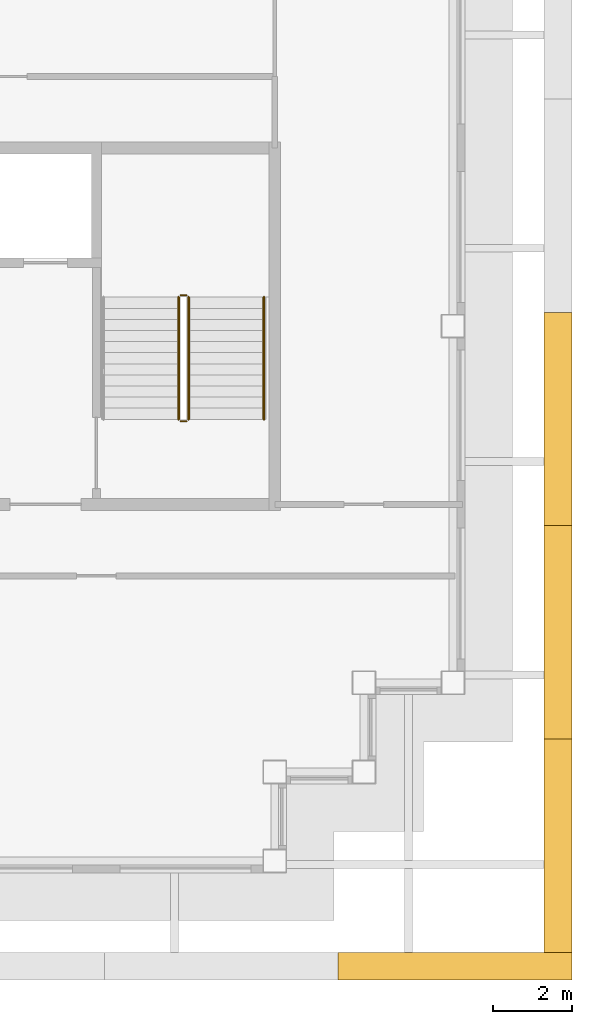
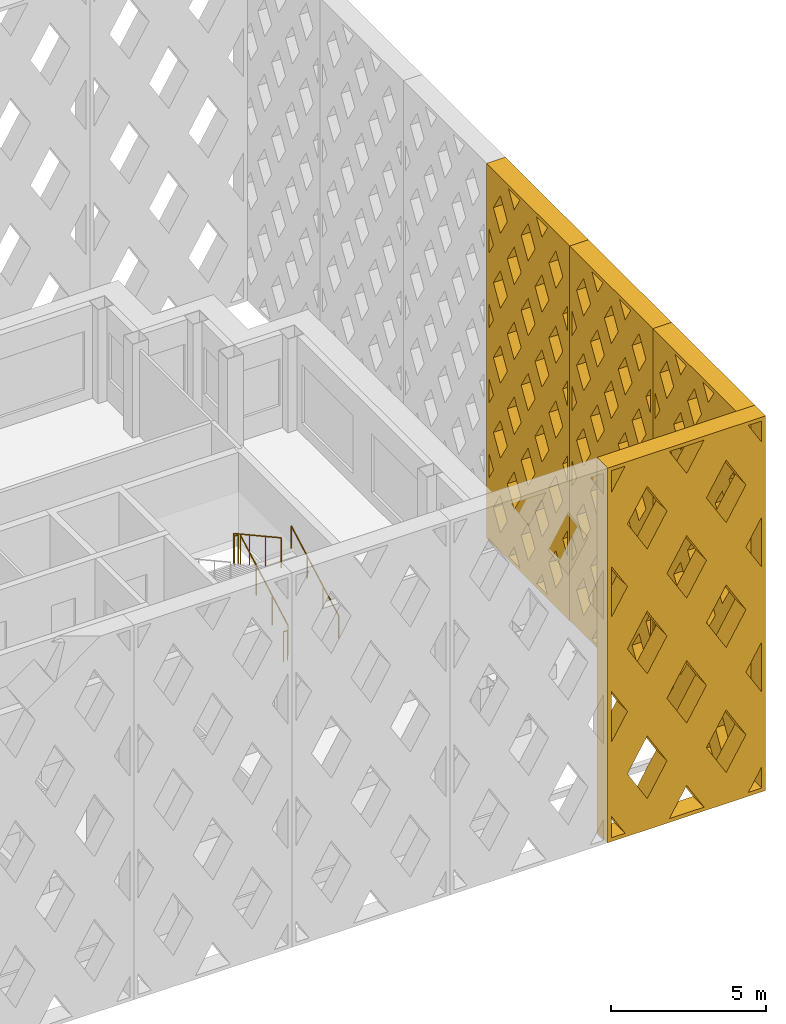
# One storey, part 13 of 15: 5 railings, 4 shading devices.
"""IFC4 building model written with IfcOpenShell, lengths in metres."""

from ifc_helpers import new_model, si_unit, direction, frame, origin, origin_2d, place, context, subcontext, project, spatial, polyline, circle, outline, extrude, material, type_object, element, save


model = new_model("IFC4")

# Units and contexts
model_context = context("Model", 3, precision=1e-05, world=origin(), true_north=direction((0.0, 1.0)))
body_context = subcontext(model_context, "Body", "Model", "MODEL_VIEW")
ifc_project = project(units=[si_unit("LENGTHUNIT", "METRE"), si_unit("AREAUNIT", "SQUARE_METRE"), si_unit("VOLUMEUNIT", "CUBIC_METRE"), si_unit("PLANEANGLEUNIT", "RADIAN"), si_unit("MASSUNIT", "GRAM", prefix="KILO")], contexts=[model_context])

# Site, building, storey
site_placement = place(None, origin())
site = spatial("IfcSite", under=ifc_project, at=site_placement, CompositionType="ELEMENT")
building_placement = place(site_placement, origin())
building = spatial("IfcBuilding", under=site, at=building_placement, Name="Caravel Reach Hotel and Residences", CompositionType="ELEMENT")
storey_placement = place(building_placement, frame((0.0, 0.0, 252.699951171875)))
storey = spatial("IfcBuildingStorey", under=building, at=storey_placement, Name="L64", CompositionType="ELEMENT", Elevation=252.699951171875)

# Shading devices
ifc_material_1 = material(Name="Black powder-coated aluminium", Category="aluminium")
shading_device_type_1 = type_object("IfcShadingDeviceType", Name="Diamond lattice screen panel 5383 x 14800", PredefinedType="USERDEFINED", material=ifc_material_1)
shading_device_1_placement = place(storey_placement, frame((51.800048828125, 11.199951171875, 0.0), z_axis=(1.0, 0.0, 0.0), x_axis=(0.0, 1.0, 0.0)))
element("IfcShadingDevice", 1, at=shading_device_1_placement, inside=storey, type_object=shading_device_type_1, Name="Lattice screen L64-L67 4.1", ObjectType="SCREEN", PredefinedType="USERDEFINED", context=body_context, shape_type="SweptSolid", body=[
    extrude(outline(polyline([(0.0, 0.0), (5.38330078125, 0.0), (5.38330078125, 14.800048828125), (0.0, 14.800048828125), (0.0, 0.0)]), holes=[polyline([(0.451416015625, 2.9599609375), (0.14990234375, 3.457275390625), (0.14990234375, 2.462646484375), (0.451416015625, 2.9599609375)]), polyline([(0.451416015625, 5.919921875), (0.14990234375, 6.41748046875), (0.14990234375, 5.422607421875), (0.451416015625, 5.919921875)]), polyline([(0.451416015625, 8.8798828125), (0.14990234375, 9.37744140625), (0.14990234375, 8.382568359375), (0.451416015625, 8.8798828125)]), polyline([(0.451416015625, 11.840087890625), (0.14990234375, 12.33740234375), (0.14990234375, 11.342529296875), (0.451416015625, 11.840087890625)]), polyline([(0.897216796875, 2.224853515625), (0.44580078125, 1.47998046875), (0.897216796875, 0.735107421875), (1.348876953125, 1.47998046875), (0.897216796875, 2.224853515625)]), polyline([(0.897216796875, 5.184814453125), (0.44580078125, 4.43994140625), (0.897216796875, 3.695068359375), (1.348876953125, 4.43994140625), (0.897216796875, 5.184814453125)]), polyline([(0.897216796875, 8.144775390625), (0.44580078125, 7.39990234375), (0.897216796875, 6.6552734375), (1.348876953125, 7.39990234375), (0.897216796875, 8.144775390625)]), polyline([(0.897216796875, 11.104736328125), (0.44580078125, 10.360107421875), (0.897216796875, 9.615234375), (1.348876953125, 10.360107421875), (0.897216796875, 11.104736328125)]), polyline([(0.897216796875, 14.06494140625), (0.44580078125, 13.320068359375), (0.897216796875, 12.5751953125), (1.348876953125, 13.320068359375), (0.897216796875, 14.06494140625)]), polyline([(1.79443359375, 0.744873046875), (1.433837890625, 0.14990234375), (2.155029296875, 0.14990234375), (1.79443359375, 0.744873046875)]), polyline([(1.79443359375, 3.704833984375), (1.343017578125, 2.9599609375), (1.79443359375, 2.215087890625), (2.24609375, 2.9599609375), (1.79443359375, 3.704833984375)]), polyline([(1.79443359375, 6.664794921875), (1.343017578125, 5.919921875), (1.79443359375, 5.17529296875), (2.24609375, 5.919921875), (1.79443359375, 6.664794921875)]), polyline([(1.79443359375, 9.624755859375), (1.343017578125, 8.8798828125), (1.79443359375, 8.13525390625), (2.24609375, 8.8798828125), (1.79443359375, 9.624755859375)]), polyline([(1.79443359375, 12.584716796875), (1.343017578125, 11.840087890625), (1.79443359375, 11.09521484375), (2.24609375, 11.840087890625), (1.79443359375, 12.584716796875)]), polyline([(1.79443359375, 14.05517578125), (2.155029296875, 14.64990234375), (1.433837890625, 14.64990234375), (1.79443359375, 14.05517578125)]), polyline([(2.691650390625, 2.224853515625), (2.240234375, 1.47998046875), (2.691650390625, 0.735107421875), (3.143310546875, 1.47998046875), (2.691650390625, 2.224853515625)]), polyline([(2.691650390625, 5.184814453125), (2.240234375, 4.43994140625), (2.691650390625, 3.695068359375), (3.143310546875, 4.43994140625), (2.691650390625, 5.184814453125)]), polyline([(2.691650390625, 8.144775390625), (2.240234375, 7.39990234375), (2.691650390625, 6.6552734375), (3.143310546875, 7.39990234375), (2.691650390625, 8.144775390625)]), polyline([(2.691650390625, 11.104736328125), (2.240234375, 10.360107421875), (2.691650390625, 9.615234375), (3.143310546875, 10.360107421875), (2.691650390625, 11.104736328125)]), polyline([(2.691650390625, 14.06494140625), (2.240234375, 13.320068359375), (2.691650390625, 12.5751953125), (3.143310546875, 13.320068359375), (2.691650390625, 14.06494140625)]), polyline([(3.5888671875, 0.744873046875), (3.228271484375, 0.14990234375), (3.949462890625, 0.14990234375), (3.5888671875, 0.744873046875)]), polyline([(3.5888671875, 3.704833984375), (3.137451171875, 2.9599609375), (3.5888671875, 2.215087890625), (4.04052734375, 2.9599609375), (3.5888671875, 3.704833984375)]), polyline([(3.5888671875, 6.664794921875), (3.137451171875, 5.919921875), (3.5888671875, 5.17529296875), (4.04052734375, 5.919921875), (3.5888671875, 6.664794921875)]), polyline([(3.5888671875, 9.624755859375), (3.137451171875, 8.8798828125), (3.5888671875, 8.13525390625), (4.04052734375, 8.8798828125), (3.5888671875, 9.624755859375)]), polyline([(3.5888671875, 12.584716796875), (3.137451171875, 11.840087890625), (3.5888671875, 11.09521484375), (4.04052734375, 11.840087890625), (3.5888671875, 12.584716796875)]), polyline([(3.5888671875, 14.05517578125), (3.949462890625, 14.64990234375), (3.228271484375, 14.64990234375), (3.5888671875, 14.05517578125)]), polyline([(4.486083984375, 2.224853515625), (4.03466796875, 1.47998046875), (4.486083984375, 0.735107421875), (4.937744140625, 1.47998046875), (4.486083984375, 2.224853515625)]), polyline([(4.486083984375, 5.184814453125), (4.03466796875, 4.43994140625), (4.486083984375, 3.695068359375), (4.937744140625, 4.43994140625), (4.486083984375, 5.184814453125)]), polyline([(4.486083984375, 8.144775390625), (4.03466796875, 7.39990234375), (4.486083984375, 6.6552734375), (4.937744140625, 7.39990234375), (4.486083984375, 8.144775390625)]), polyline([(4.486083984375, 11.104736328125), (4.03466796875, 10.360107421875), (4.486083984375, 9.615234375), (4.937744140625, 10.360107421875), (4.486083984375, 11.104736328125)]), polyline([(4.486083984375, 14.06494140625), (4.03466796875, 13.320068359375), (4.486083984375, 12.5751953125), (4.937744140625, 13.320068359375), (4.486083984375, 14.06494140625)]), polyline([(4.931884765625, 2.9599609375), (5.2333984375, 2.462646484375), (5.2333984375, 3.457275390625), (4.931884765625, 2.9599609375)]), polyline([(4.931884765625, 5.919921875), (5.2333984375, 5.422607421875), (5.2333984375, 6.41748046875), (4.931884765625, 5.919921875)]), polyline([(4.931884765625, 8.8798828125), (5.2333984375, 8.382568359375), (5.2333984375, 9.37744140625), (4.931884765625, 8.8798828125)]), polyline([(4.931884765625, 11.840087890625), (5.2333984375, 11.342529296875), (5.2333984375, 12.33740234375), (4.931884765625, 11.840087890625)])]), origin(), (0.0, 0.0, 1.0), 0.699951171875),
])
shading_device_2_placement = place(storey_placement, frame((51.800048828125, 16.583251953125, 0.0), z_axis=(1.0, 0.0, 0.0), x_axis=(0.0, 1.0, 0.0)))
element("IfcShadingDevice", 2, at=shading_device_2_placement, inside=storey, type_object=shading_device_type_1, Name="Lattice screen L64-L67 4.2", ObjectType="SCREEN", PredefinedType="USERDEFINED", context=body_context, shape_type="SweptSolid", body=[
    extrude(outline(polyline([(0.0, 0.0), (5.38330078125, 0.0), (5.38330078125, 14.800048828125), (0.0, 14.800048828125), (0.0, 0.0)]), holes=[polyline([(0.451416015625, 2.9599609375), (0.14990234375, 3.457275390625), (0.14990234375, 2.462646484375), (0.451416015625, 2.9599609375)]), polyline([(0.451416015625, 5.919921875), (0.14990234375, 6.41748046875), (0.14990234375, 5.422607421875), (0.451416015625, 5.919921875)]), polyline([(0.451416015625, 8.8798828125), (0.14990234375, 9.37744140625), (0.14990234375, 8.382568359375), (0.451416015625, 8.8798828125)]), polyline([(0.451416015625, 11.840087890625), (0.14990234375, 12.33740234375), (0.14990234375, 11.342529296875), (0.451416015625, 11.840087890625)]), polyline([(0.897216796875, 2.224853515625), (0.44580078125, 1.47998046875), (0.897216796875, 0.735107421875), (1.348876953125, 1.47998046875), (0.897216796875, 2.224853515625)]), polyline([(0.897216796875, 5.184814453125), (0.44580078125, 4.43994140625), (0.897216796875, 3.695068359375), (1.348876953125, 4.43994140625), (0.897216796875, 5.184814453125)]), polyline([(0.897216796875, 8.144775390625), (0.44580078125, 7.39990234375), (0.897216796875, 6.6552734375), (1.348876953125, 7.39990234375), (0.897216796875, 8.144775390625)]), polyline([(0.897216796875, 11.104736328125), (0.44580078125, 10.360107421875), (0.897216796875, 9.615234375), (1.348876953125, 10.360107421875), (0.897216796875, 11.104736328125)]), polyline([(0.897216796875, 14.06494140625), (0.44580078125, 13.320068359375), (0.897216796875, 12.5751953125), (1.348876953125, 13.320068359375), (0.897216796875, 14.06494140625)]), polyline([(1.79443359375, 0.744873046875), (1.433837890625, 0.14990234375), (2.155029296875, 0.14990234375), (1.79443359375, 0.744873046875)]), polyline([(1.79443359375, 3.704833984375), (1.343017578125, 2.9599609375), (1.79443359375, 2.215087890625), (2.24609375, 2.9599609375), (1.79443359375, 3.704833984375)]), polyline([(1.79443359375, 6.664794921875), (1.343017578125, 5.919921875), (1.79443359375, 5.17529296875), (2.24609375, 5.919921875), (1.79443359375, 6.664794921875)]), polyline([(1.79443359375, 9.624755859375), (1.343017578125, 8.8798828125), (1.79443359375, 8.13525390625), (2.24609375, 8.8798828125), (1.79443359375, 9.624755859375)]), polyline([(1.79443359375, 12.584716796875), (1.343017578125, 11.840087890625), (1.79443359375, 11.09521484375), (2.24609375, 11.840087890625), (1.79443359375, 12.584716796875)]), polyline([(1.79443359375, 14.05517578125), (2.155029296875, 14.64990234375), (1.433837890625, 14.64990234375), (1.79443359375, 14.05517578125)]), polyline([(2.691650390625, 2.224853515625), (2.240234375, 1.47998046875), (2.691650390625, 0.735107421875), (3.143310546875, 1.47998046875), (2.691650390625, 2.224853515625)]), polyline([(2.691650390625, 5.184814453125), (2.240234375, 4.43994140625), (2.691650390625, 3.695068359375), (3.143310546875, 4.43994140625), (2.691650390625, 5.184814453125)]), polyline([(2.691650390625, 8.144775390625), (2.240234375, 7.39990234375), (2.691650390625, 6.6552734375), (3.143310546875, 7.39990234375), (2.691650390625, 8.144775390625)]), polyline([(2.691650390625, 11.104736328125), (2.240234375, 10.360107421875), (2.691650390625, 9.615234375), (3.143310546875, 10.360107421875), (2.691650390625, 11.104736328125)]), polyline([(2.691650390625, 14.06494140625), (2.240234375, 13.320068359375), (2.691650390625, 12.5751953125), (3.143310546875, 13.320068359375), (2.691650390625, 14.06494140625)]), polyline([(3.5888671875, 0.744873046875), (3.228271484375, 0.14990234375), (3.949462890625, 0.14990234375), (3.5888671875, 0.744873046875)]), polyline([(3.5888671875, 3.704833984375), (3.137451171875, 2.9599609375), (3.5888671875, 2.215087890625), (4.04052734375, 2.9599609375), (3.5888671875, 3.704833984375)]), polyline([(3.5888671875, 6.664794921875), (3.137451171875, 5.919921875), (3.5888671875, 5.17529296875), (4.04052734375, 5.919921875), (3.5888671875, 6.664794921875)]), polyline([(3.5888671875, 9.624755859375), (3.137451171875, 8.8798828125), (3.5888671875, 8.13525390625), (4.04052734375, 8.8798828125), (3.5888671875, 9.624755859375)]), polyline([(3.5888671875, 12.584716796875), (3.137451171875, 11.840087890625), (3.5888671875, 11.09521484375), (4.04052734375, 11.840087890625), (3.5888671875, 12.584716796875)]), polyline([(3.5888671875, 14.05517578125), (3.949462890625, 14.64990234375), (3.228271484375, 14.64990234375), (3.5888671875, 14.05517578125)]), polyline([(4.486083984375, 2.224853515625), (4.03466796875, 1.47998046875), (4.486083984375, 0.735107421875), (4.937744140625, 1.47998046875), (4.486083984375, 2.224853515625)]), polyline([(4.486083984375, 5.184814453125), (4.03466796875, 4.43994140625), (4.486083984375, 3.695068359375), (4.937744140625, 4.43994140625), (4.486083984375, 5.184814453125)]), polyline([(4.486083984375, 8.144775390625), (4.03466796875, 7.39990234375), (4.486083984375, 6.6552734375), (4.937744140625, 7.39990234375), (4.486083984375, 8.144775390625)]), polyline([(4.486083984375, 11.104736328125), (4.03466796875, 10.360107421875), (4.486083984375, 9.615234375), (4.937744140625, 10.360107421875), (4.486083984375, 11.104736328125)]), polyline([(4.486083984375, 14.06494140625), (4.03466796875, 13.320068359375), (4.486083984375, 12.5751953125), (4.937744140625, 13.320068359375), (4.486083984375, 14.06494140625)]), polyline([(4.931884765625, 2.9599609375), (5.2333984375, 2.462646484375), (5.2333984375, 3.457275390625), (4.931884765625, 2.9599609375)]), polyline([(4.931884765625, 5.919921875), (5.2333984375, 5.422607421875), (5.2333984375, 6.41748046875), (4.931884765625, 5.919921875)]), polyline([(4.931884765625, 8.8798828125), (5.2333984375, 8.382568359375), (5.2333984375, 9.37744140625), (4.931884765625, 8.8798828125)]), polyline([(4.931884765625, 11.840087890625), (5.2333984375, 11.342529296875), (5.2333984375, 12.33740234375), (4.931884765625, 11.840087890625)])]), origin(), (0.0, 0.0, 1.0), 0.699951171875),
])
shading_device_3_placement = place(storey_placement, frame((51.800048828125, 21.966552734375, 0.0), z_axis=(1.0, 0.0, 0.0), x_axis=(0.0, 1.0, 0.0)))
element("IfcShadingDevice", 3, at=shading_device_3_placement, inside=storey, type_object=shading_device_type_1, Name="Lattice screen L64-L67 4.3", ObjectType="SCREEN", PredefinedType="USERDEFINED", context=body_context, shape_type="SweptSolid", body=[
    extrude(outline(polyline([(0.0, 0.0), (5.38330078125, 0.0), (5.38330078125, 14.800048828125), (0.0, 14.800048828125), (0.0, 0.0)]), holes=[polyline([(0.451416015625, 2.9599609375), (0.14990234375, 3.457275390625), (0.14990234375, 2.462646484375), (0.451416015625, 2.9599609375)]), polyline([(0.451416015625, 5.919921875), (0.14990234375, 6.41748046875), (0.14990234375, 5.422607421875), (0.451416015625, 5.919921875)]), polyline([(0.451416015625, 8.8798828125), (0.14990234375, 9.37744140625), (0.14990234375, 8.382568359375), (0.451416015625, 8.8798828125)]), polyline([(0.451416015625, 11.840087890625), (0.14990234375, 12.33740234375), (0.14990234375, 11.342529296875), (0.451416015625, 11.840087890625)]), polyline([(0.897216796875, 2.224853515625), (0.44580078125, 1.47998046875), (0.897216796875, 0.735107421875), (1.348876953125, 1.47998046875), (0.897216796875, 2.224853515625)]), polyline([(0.897216796875, 5.184814453125), (0.44580078125, 4.43994140625), (0.897216796875, 3.695068359375), (1.348876953125, 4.43994140625), (0.897216796875, 5.184814453125)]), polyline([(0.897216796875, 8.144775390625), (0.44580078125, 7.39990234375), (0.897216796875, 6.6552734375), (1.348876953125, 7.39990234375), (0.897216796875, 8.144775390625)]), polyline([(0.897216796875, 11.104736328125), (0.44580078125, 10.360107421875), (0.897216796875, 9.615234375), (1.348876953125, 10.360107421875), (0.897216796875, 11.104736328125)]), polyline([(0.897216796875, 14.06494140625), (0.44580078125, 13.320068359375), (0.897216796875, 12.5751953125), (1.348876953125, 13.320068359375), (0.897216796875, 14.06494140625)]), polyline([(1.79443359375, 0.744873046875), (1.433837890625, 0.14990234375), (2.155029296875, 0.14990234375), (1.79443359375, 0.744873046875)]), polyline([(1.79443359375, 3.704833984375), (1.343017578125, 2.9599609375), (1.79443359375, 2.215087890625), (2.24609375, 2.9599609375), (1.79443359375, 3.704833984375)]), polyline([(1.79443359375, 6.664794921875), (1.343017578125, 5.919921875), (1.79443359375, 5.17529296875), (2.24609375, 5.919921875), (1.79443359375, 6.664794921875)]), polyline([(1.79443359375, 9.624755859375), (1.343017578125, 8.8798828125), (1.79443359375, 8.13525390625), (2.24609375, 8.8798828125), (1.79443359375, 9.624755859375)]), polyline([(1.79443359375, 12.584716796875), (1.343017578125, 11.840087890625), (1.79443359375, 11.09521484375), (2.24609375, 11.840087890625), (1.79443359375, 12.584716796875)]), polyline([(1.79443359375, 14.05517578125), (2.155029296875, 14.64990234375), (1.433837890625, 14.64990234375), (1.79443359375, 14.05517578125)]), polyline([(2.691650390625, 2.224853515625), (2.240234375, 1.47998046875), (2.691650390625, 0.735107421875), (3.143310546875, 1.47998046875), (2.691650390625, 2.224853515625)]), polyline([(2.691650390625, 5.184814453125), (2.240234375, 4.43994140625), (2.691650390625, 3.695068359375), (3.143310546875, 4.43994140625), (2.691650390625, 5.184814453125)]), polyline([(2.691650390625, 8.144775390625), (2.240234375, 7.39990234375), (2.691650390625, 6.6552734375), (3.143310546875, 7.39990234375), (2.691650390625, 8.144775390625)]), polyline([(2.691650390625, 11.104736328125), (2.240234375, 10.360107421875), (2.691650390625, 9.615234375), (3.143310546875, 10.360107421875), (2.691650390625, 11.104736328125)]), polyline([(2.691650390625, 14.06494140625), (2.240234375, 13.320068359375), (2.691650390625, 12.5751953125), (3.143310546875, 13.320068359375), (2.691650390625, 14.06494140625)]), polyline([(3.5888671875, 0.744873046875), (3.228271484375, 0.14990234375), (3.949462890625, 0.14990234375), (3.5888671875, 0.744873046875)]), polyline([(3.5888671875, 3.704833984375), (3.137451171875, 2.9599609375), (3.5888671875, 2.215087890625), (4.04052734375, 2.9599609375), (3.5888671875, 3.704833984375)]), polyline([(3.5888671875, 6.664794921875), (3.137451171875, 5.919921875), (3.5888671875, 5.17529296875), (4.04052734375, 5.919921875), (3.5888671875, 6.664794921875)]), polyline([(3.5888671875, 9.624755859375), (3.137451171875, 8.8798828125), (3.5888671875, 8.13525390625), (4.04052734375, 8.8798828125), (3.5888671875, 9.624755859375)]), polyline([(3.5888671875, 12.584716796875), (3.137451171875, 11.840087890625), (3.5888671875, 11.09521484375), (4.04052734375, 11.840087890625), (3.5888671875, 12.584716796875)]), polyline([(3.5888671875, 14.05517578125), (3.949462890625, 14.64990234375), (3.228271484375, 14.64990234375), (3.5888671875, 14.05517578125)]), polyline([(4.486083984375, 2.224853515625), (4.03466796875, 1.47998046875), (4.486083984375, 0.735107421875), (4.937744140625, 1.47998046875), (4.486083984375, 2.224853515625)]), polyline([(4.486083984375, 5.184814453125), (4.03466796875, 4.43994140625), (4.486083984375, 3.695068359375), (4.937744140625, 4.43994140625), (4.486083984375, 5.184814453125)]), polyline([(4.486083984375, 8.144775390625), (4.03466796875, 7.39990234375), (4.486083984375, 6.6552734375), (4.937744140625, 7.39990234375), (4.486083984375, 8.144775390625)]), polyline([(4.486083984375, 11.104736328125), (4.03466796875, 10.360107421875), (4.486083984375, 9.615234375), (4.937744140625, 10.360107421875), (4.486083984375, 11.104736328125)]), polyline([(4.486083984375, 14.06494140625), (4.03466796875, 13.320068359375), (4.486083984375, 12.5751953125), (4.937744140625, 13.320068359375), (4.486083984375, 14.06494140625)]), polyline([(4.931884765625, 2.9599609375), (5.2333984375, 2.462646484375), (5.2333984375, 3.457275390625), (4.931884765625, 2.9599609375)]), polyline([(4.931884765625, 5.919921875), (5.2333984375, 5.422607421875), (5.2333984375, 6.41748046875), (4.931884765625, 5.919921875)]), polyline([(4.931884765625, 8.8798828125), (5.2333984375, 8.382568359375), (5.2333984375, 9.37744140625), (4.931884765625, 8.8798828125)]), polyline([(4.931884765625, 11.840087890625), (5.2333984375, 11.342529296875), (5.2333984375, 12.33740234375), (4.931884765625, 11.840087890625)])]), origin(), (0.0, 0.0, 1.0), 0.699951171875),
])
ifc_material_2 = material(Name="Black powder-coated aluminium", Category="aluminium")
shading_device_type_2 = type_object("IfcShadingDeviceType", Name="Diamond lattice screen panel 5900 x 14800", PredefinedType="USERDEFINED", material=ifc_material_2)
shading_device_4_placement = place(storey_placement, frame((46.60009765625, 11.199951171875, 0.0), z_axis=(0.0, -1.0, 0.0), x_axis=(1.0, 0.0, 0.0)))
element("IfcShadingDevice", 4, at=shading_device_4_placement, inside=storey, type_object=shading_device_type_2, Name="Lattice screen L64-L67 3.7", ObjectType="SCREEN", PredefinedType="USERDEFINED", context=body_context, shape_type="SweptSolid", body=[
    extrude(outline(polyline([(0.0, 0.0), (5.89990234375, 0.0), (5.89990234375, 14.800048828125), (0.0, 14.800048828125), (0.0, 0.0)]), holes=[polyline([(0.64990234375, 0.14990234375), (0.14990234375, 0.986083984375), (0.14990234375, 0.14990234375), (0.64990234375, 0.14990234375)]), polyline([(0.739501953125, 4.933349609375), (0.14990234375, 5.91943359375), (0.14990234375, 3.947265625), (0.739501953125, 4.933349609375)]), polyline([(0.739501953125, 9.86669921875), (0.14990234375, 10.852783203125), (0.14990234375, 8.880615234375), (0.739501953125, 9.86669921875)]), polyline([(0.14990234375, 13.81396484375), (0.64990234375, 14.64990234375), (0.14990234375, 14.64990234375), (0.14990234375, 13.81396484375)]), polyline([(1.47509765625, 3.70361328125), (0.7353515625, 2.466552734375), (1.47509765625, 1.229736328125), (2.214599609375, 2.466552734375), (1.47509765625, 3.70361328125)]), polyline([(1.47509765625, 8.636962890625), (0.7353515625, 7.39990234375), (1.47509765625, 6.1630859375), (2.214599609375, 7.39990234375), (1.47509765625, 8.636962890625)]), polyline([(1.47509765625, 13.570068359375), (0.7353515625, 12.333251953125), (1.47509765625, 11.096435546875), (2.214599609375, 12.333251953125), (1.47509765625, 13.570068359375)]), polyline([(2.949951171875, 1.23681640625), (2.300048828125, 0.14990234375), (3.599853515625, 0.14990234375), (2.949951171875, 1.23681640625)]), polyline([(2.949951171875, 6.170166015625), (2.21044921875, 4.933349609375), (2.949951171875, 3.696533203125), (3.689697265625, 4.933349609375), (2.949951171875, 6.170166015625)]), polyline([(2.949951171875, 11.103515625), (2.21044921875, 9.86669921875), (2.949951171875, 8.6298828125), (3.689697265625, 9.86669921875), (2.949951171875, 11.103515625)]), polyline([(2.949951171875, 13.563232421875), (3.599853515625, 14.64990234375), (2.300048828125, 14.64990234375), (2.949951171875, 13.563232421875)]), polyline([(4.425048828125, 3.70361328125), (3.685302734375, 2.466552734375), (4.425048828125, 1.229736328125), (5.16455078125, 2.466552734375), (4.425048828125, 3.70361328125)]), polyline([(4.425048828125, 8.636962890625), (3.685302734375, 7.39990234375), (4.425048828125, 6.1630859375), (5.16455078125, 7.39990234375), (4.425048828125, 8.636962890625)]), polyline([(4.425048828125, 13.570068359375), (3.685302734375, 12.333251953125), (4.425048828125, 11.096435546875), (5.16455078125, 12.333251953125), (4.425048828125, 13.570068359375)]), polyline([(5.75, 0.986083984375), (5.25, 0.14990234375), (5.75, 0.14990234375), (5.75, 0.986083984375)]), polyline([(5.160400390625, 4.933349609375), (5.75, 3.947265625), (5.75, 5.91943359375), (5.160400390625, 4.933349609375)]), polyline([(5.160400390625, 9.86669921875), (5.75, 8.880615234375), (5.75, 10.852783203125), (5.160400390625, 9.86669921875)]), polyline([(5.25, 14.64990234375), (5.75, 13.81396484375), (5.75, 14.64990234375), (5.25, 14.64990234375)])]), origin(), (0.0, 0.0, 1.0), 0.699951171875),
])

# Railings
ifc_material_3 = material(Name="Steel balustrade with glass infill", Category="steel")
railing_type_1 = type_object("IfcRailingType", Name="Guard 1200", PredefinedType="GUARDRAIL", material=ifc_material_3)
railing_1_placement = place(storey_placement, frame((42.824951171875, 24.64990234375, 0.154296875)))
element("IfcRailing", 5, at=railing_1_placement, inside=storey, type_object=railing_type_1, Name="L64 ST-B stair guard 1", PredefinedType="GUARDRAIL", context=body_context, shape_type="SweptSolid", body=[
    extrude(circle(Radius=0.02392578125, at=origin_2d()), frame((0.0, 0.0, 1.17578125), z_axis=(0.0, 0.876004717809, 0.482302534076), x_axis=(-1.0, 0.0, 0.0)), (0.0, 0.0, 1.0), 3.51611328125),
    extrude(circle(Radius=0.02099609375, at=origin_2d()), origin(), (0.0, 0.0, 1.0), 1.15185546875),
    extrude(circle(Radius=0.02099609375, at=origin_2d()), frame((0.0, 1.026611328125, 0.565185546875)), (0.0, 0.0, 1.0), 1.15185546875),
    extrude(circle(Radius=0.02099609375, at=origin_2d()), frame((0.0, 2.053466796875, 1.130615234375)), (0.0, 0.0, 1.0), 1.15185546875),
    extrude(circle(Radius=0.02099609375, at=origin_2d()), frame((0.0, 3.080078125, 1.69580078125)), (0.0, 0.0, 1.0), 1.15185546875),
])
railing_2_placement = place(storey_placement, frame((42.77490234375, 27.780029296875, 1.85009765625)))
element("IfcRailing", 6, at=railing_2_placement, inside=storey, type_object=railing_type_1, Name="L64 ST-B stair guard 2", PredefinedType="GUARDRAIL", context=body_context, shape_type="SweptSolid", body=[
    extrude(circle(Radius=0.02392578125, at=origin_2d()), frame((0.0, 0.0, 1.17578125), z_axis=(-1.0, 0.0, 0.0), x_axis=(0.0, -1.0, 0.0)), (0.0, 0.0, 1.0), 0.14990234375),
    extrude(circle(Radius=0.02099609375, at=origin_2d()), origin(), (0.0, 0.0, 1.0), 1.15185546875),
    extrude(circle(Radius=0.02099609375, at=origin_2d()), frame((-0.14990234375, 0.0, 0.0)), (0.0, 0.0, 1.0), 1.15185546875),
])
railing_3_placement = place(storey_placement, frame((42.574951171875, 27.72998046875, 2.004150390625)))
element("IfcRailing", 7, at=railing_3_placement, inside=storey, type_object=railing_type_1, Name="L64 ST-B stair guard 3", PredefinedType="GUARDRAIL", context=body_context, shape_type="SweptSolid", body=[
    extrude(circle(Radius=0.02392578125, at=origin_2d()), frame((0.0, 0.0, 1.17578125), z_axis=(0.0, -0.876004717809, 0.482302534076), x_axis=(1.0, 0.0, 0.0)), (0.0, 0.0, 1.0), 3.51611328125),
    extrude(circle(Radius=0.02099609375, at=origin_2d()), origin(), (0.0, 0.0, 1.0), 1.15185546875),
    extrude(circle(Radius=0.02099609375, at=origin_2d()), frame((0.0, -1.026611328125, 0.565185546875)), (0.0, 0.0, 1.0), 1.15185546875),
    extrude(circle(Radius=0.02099609375, at=origin_2d()), frame((0.0, -2.053466796875, 1.130615234375)), (0.0, 0.0, 1.0), 1.15185546875),
    extrude(circle(Radius=0.02099609375, at=origin_2d()), frame((0.0, -3.080078125, 1.69580078125)), (0.0, 0.0, 1.0), 1.15185546875),
])
railing_4_placement = place(storey_placement, frame((42.77490234375, 24.60009765625, 0.0)))
element("IfcRailing", 8, at=railing_4_placement, inside=storey, type_object=railing_type_1, Name="L64 ST-B stair guard 4", PredefinedType="GUARDRAIL", context=body_context, shape_type="SweptSolid", body=[
    extrude(circle(Radius=0.02392578125, at=origin_2d()), frame((0.0, 0.0, 1.17578125), z_axis=(-1.0, 0.0, 0.0), x_axis=(0.0, -1.0, 0.0)), (0.0, 0.0, 1.0), 0.14990234375),
    extrude(circle(Radius=0.02099609375, at=origin_2d()), origin(), (0.0, 0.0, 1.0), 1.15185546875),
    extrude(circle(Radius=0.02099609375, at=origin_2d()), frame((-0.14990234375, 0.0, 0.0)), (0.0, 0.0, 1.0), 1.15185546875),
])
ifc_material_4 = material(Name="Stainless steel handrail", Category="steel")
railing_type_2 = type_object("IfcRailingType", Name="Handrail 900", PredefinedType="HANDRAIL", material=ifc_material_4)
railing_5_placement = place(storey_placement, frame((44.72509765625, 24.64990234375, 0.154296875)))
element("IfcRailing", 9, at=railing_5_placement, inside=storey, type_object=railing_type_2, Name="L64 ST-B stair handrail 1", PredefinedType="HANDRAIL", context=body_context, shape_type="SweptSolid", body=[
    extrude(circle(Radius=0.02392578125, at=origin_2d()), frame((0.0, 0.0, 0.8759765625), z_axis=(0.0, 0.876004717809, 0.482302534076), x_axis=(-1.0, 0.0, 0.0)), (0.0, 0.0, 1.0), 3.51611328125),
    extrude(circle(Radius=0.02099609375, at=origin_2d()), origin(), (0.0, 0.0, 1.0), 0.851806640625),
    extrude(circle(Radius=0.02099609375, at=origin_2d()), frame((0.0, 1.026611328125, 0.565185546875)), (0.0, 0.0, 1.0), 0.851806640625),
    extrude(circle(Radius=0.02099609375, at=origin_2d()), frame((0.0, 2.053466796875, 1.130615234375)), (0.0, 0.0, 1.0), 0.851806640625),
    extrude(circle(Radius=0.02099609375, at=origin_2d()), frame((0.0, 3.080078125, 1.69580078125)), (0.0, 0.0, 1.0), 0.851806640625),
])

save(model, "model.ifc")
